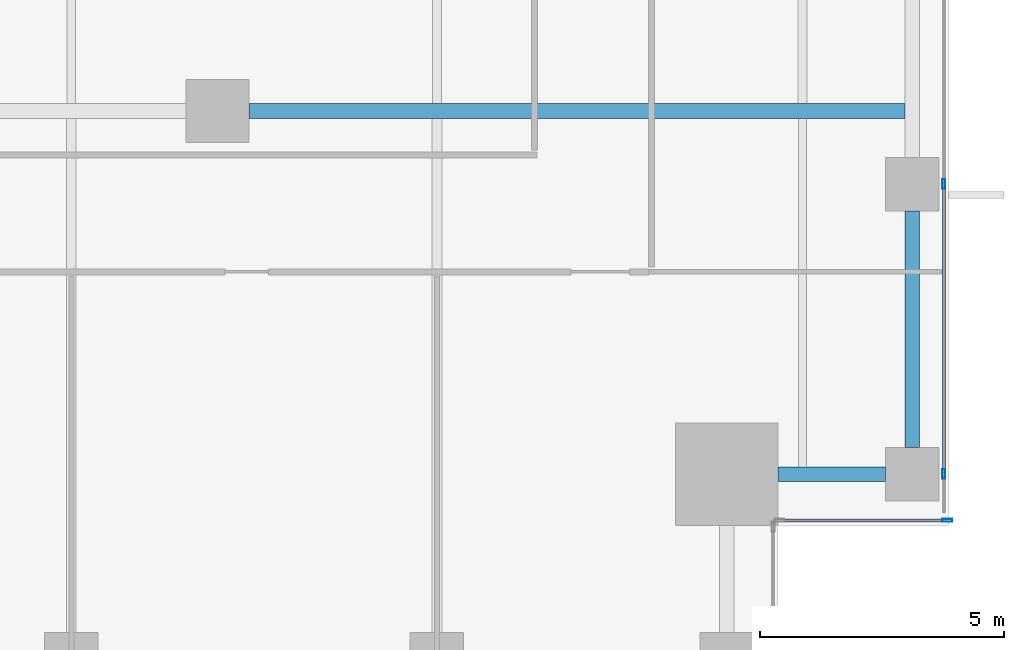
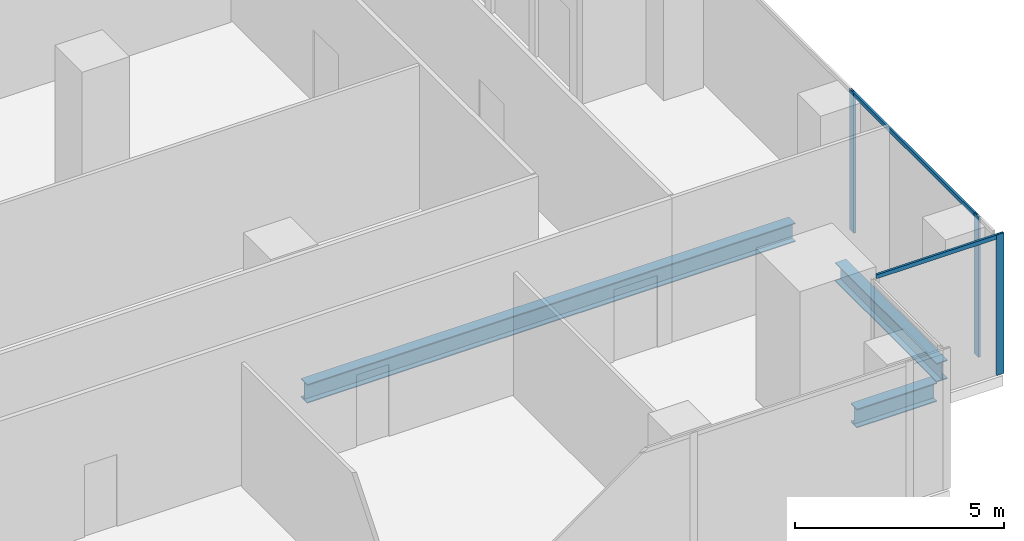
# One storey, part 11 of 34: 5 members, 3 beams, 2 elements without a shape of their own.
"""IFC4 building model written with IfcOpenShell, lengths in metres."""

import ifcopenshell
import ifcopenshell.guid

model = None  # the IFC model being written
_history = None  # IfcOwnerHistory: only IFC2X3 demands one
_inside = {}  # id of a spatial element -> (the spatial element, [elements in it])
_under = {}  # id of a project, library or spatial element -> (it, [spatial elements below it])
_declared = {}  # id of a project -> (the project, [libraries it declares])
_typed = {}  # id of a type object -> (the type object, [elements of that type])
_made_of = {}  # id of a material, layer set ... -> (it, [elements and type objects made of it])


def new_model(schema):
    """Start an empty IFC model of exactly this schema.

    Asked for "IFC4X3", IfcOpenShell would pick the latest addendum, in which some entities
    have other attributes; the version numbers below select the first issue.
    IFC2X3 requires an IfcOwnerHistory on every rooted entity: one is made here for all.
    """
    global model, _history
    if schema == "IFC4X3":
        model = ifcopenshell.file(schema_version=(4, 3, 0, 0))
    else:
        model = ifcopenshell.file(schema=schema)
    _inside.clear()
    _under.clear()
    _declared.clear()
    _typed.clear()
    _made_of.clear()
    _history = None
    if model.schema == "IFC2X3":
        org = make("IfcOrganization", Name="unknown")
        user = make(
            "IfcPersonAndOrganization",
            ThePerson=make("IfcPerson", FamilyName="unknown"),
            TheOrganization=org,
        )
        app = make(
            "IfcApplication",
            ApplicationDeveloper=org,
            Version="unknown",
            ApplicationFullName="unknown",
            ApplicationIdentifier="unknown",
        )
        _history = make(
            "IfcOwnerHistory",
            OwningUser=user,
            OwningApplication=app,
            ChangeAction="ADDED",
            CreationDate=0,
        )
    return model


def make(cls, **values):
    """One entity of the class cls with the attributes given. An attribute that is None is left unset."""
    return model.create_entity(
        cls, **{name: value for name, value in values.items() if value is not None}
    )


def rooted(cls, **values):
    """An entity with a GlobalId (a new one), such as an element, a storey or a relation."""
    return make(cls, GlobalId=ifcopenshell.guid.new(), OwnerHistory=_history, **values)


def si_unit(unit_type, name, prefix=None):
    """IfcSIUnit, for example si_unit("LENGTHUNIT", "METRE", prefix="MILLI")."""
    return make("IfcSIUnit", UnitType=unit_type, Prefix=prefix, Name=name)


def assignment(units):
    """IfcUnitAssignment: the units of a project."""
    return None if units is None else make("IfcUnitAssignment", Units=units)


def point(xyz):
    """IfcCartesianPoint."""
    return None if xyz is None else make("IfcCartesianPoint", Coordinates=xyz)


def direction(xyz):
    """IfcDirection."""
    return None if xyz is None else make("IfcDirection", DirectionRatios=xyz)


def frame(location, z_axis=None, x_axis=None):
    """IfcAxis2Placement3D, a coordinate frame: its origin and axes. An axis left out is left unset."""
    return make(
        "IfcAxis2Placement3D",
        Location=point(location),
        Axis=direction(z_axis),
        RefDirection=direction(x_axis),
    )


def frame_2d(location, x_axis=None):
    """IfcAxis2Placement2D, a coordinate frame in the plane: its origin and x axis."""
    return make(
        "IfcAxis2Placement2D", Location=point(location), RefDirection=direction(x_axis)
    )


def origin():
    """The frame at (0, 0, 0) with its axes left unset."""
    return frame((0.0, 0.0, 0.0))


def origin_2d():
    """The frame at (0, 0) in the plane with its x axis left unset."""
    return frame_2d((0.0, 0.0))


def place(relative_to, where):
    """IfcLocalPlacement: puts the frame where relative to a parent placement (None: the world)."""
    return make(
        "IfcLocalPlacement", PlacementRelTo=relative_to, RelativePlacement=where
    )


def context(
    kind, dimensions, precision=None, world=None, true_north=None, identifier=None
):
    """IfcGeometricRepresentationContext, for example the 3D "Model" context."""
    return make(
        "IfcGeometricRepresentationContext",
        ContextIdentifier=identifier,
        ContextType=kind,
        CoordinateSpaceDimension=dimensions,
        Precision=precision,
        WorldCoordinateSystem=world,
        TrueNorth=true_north,
    )


def subcontext(parent, identifier, kind, view, scale=None):
    """IfcGeometricRepresentationSubContext, for example "Body" below "Model"."""
    return make(
        "IfcGeometricRepresentationSubContext",
        ContextIdentifier=identifier,
        ContextType=kind,
        ParentContext=parent,
        TargetScale=scale,
        TargetView=view,
    )


def project(units=None, contexts=None):
    """IfcProject with its units and contexts."""
    return rooted(
        "IfcProject",
        Name="project",
        RepresentationContexts=contexts,
        UnitsInContext=assignment(units),
    )


def spatial(cls, under=None, at=None, **own):
    """A site, building, storey or space (cls), placed at a placement, below another one or the project."""
    s = rooted(cls, ObjectPlacement=at, **own)
    if under is not None:
        _under.setdefault(under.id(), (under, []))[1].append(s)
    return s


def profile(cls, at=None, kind="AREA", **sizes):
    """A parametric profile (cls). Its sizes go by their IFC names, for example OverallWidth=200.0."""
    return make(cls, ProfileType=kind, Position=at, **sizes)


def hollow_rectangle(**sizes):
    """IfcRectangleHollowProfileDef."""
    return profile("IfcRectangleHollowProfileDef", **sizes)


def i_section(**sizes):
    """IfcIShapeProfileDef."""
    return profile("IfcIShapeProfileDef", **sizes)


def extrude(swept, where, along, depth):
    """IfcExtrudedAreaSolid: the profile swept, set in the frame where, extruded along a direction by depth."""
    return make(
        "IfcExtrudedAreaSolid",
        SweptArea=swept,
        Position=where,
        ExtrudedDirection=direction(along),
        Depth=depth,
    )


def shape(context_of_items, identifier, shape_type, items):
    """IfcShapeRepresentation: the items that make up one representation, for example the "Body"."""
    return make(
        "IfcShapeRepresentation",
        ContextOfItems=context_of_items,
        RepresentationIdentifier=identifier,
        RepresentationType=shape_type,
        Items=items,
    )


def source(mapping_origin, context_of_items, identifier, shape_type, items):
    """IfcRepresentationMap: a shape defined once, which mapped items show again and again."""
    return make(
        "IfcRepresentationMap",
        MappingOrigin=mapping_origin,
        MappedRepresentation=shape(context_of_items, identifier, shape_type, items),
    )


def transform(
    local_origin,
    x_axis=None,
    y_axis=None,
    z_axis=None,
    scale=None,
    scale2=None,
    scale3=None,
    uniform=True,
):
    """IfcCartesianTransformationOperator3D, or its non-uniform kind. x_axis, y_axis, z_axis: its Axis1, 2, 3."""
    if uniform:
        return make(
            "IfcCartesianTransformationOperator3D",
            Axis1=direction(x_axis),
            Axis2=direction(y_axis),
            LocalOrigin=point(local_origin),
            Scale=scale,
            Axis3=direction(z_axis),
        )
    return make(
        "IfcCartesianTransformationOperator3DnonUniform",
        Axis1=direction(x_axis),
        Axis2=direction(y_axis),
        LocalOrigin=point(local_origin),
        Scale=scale,
        Axis3=direction(z_axis),
        Scale2=scale2,
        Scale3=scale3,
    )


def mapped(mapping_source, mapping_target):
    """IfcMappedItem: shows the shape of a source again, moved by a transform."""
    return make(
        "IfcMappedItem", MappingSource=mapping_source, MappingTarget=mapping_target
    )


def material(Name=None, Category=None):
    """IfcMaterial."""
    return make("IfcMaterial", Name=Name, Category=Category)


def material_profile(
    of_material, cross_section, Name=None, Category=None, Priority=None
):
    """IfcMaterialProfile: a cross section and its material."""
    return make(
        "IfcMaterialProfile",
        Name=Name,
        Material=of_material,
        Profile=cross_section,
        Priority=Priority,
        Category=Category,
    )


def profile_set(profiles, Name=None, composite=None):
    """IfcMaterialProfileSet."""
    return make(
        "IfcMaterialProfileSet",
        Name=Name,
        MaterialProfiles=profiles,
        CompositeProfile=composite,
    )


def made_of(thing, what):
    """Note that an element or type object is made of a material, layer set ...; save() writes the relation."""
    if what is not None:
        _made_of.setdefault(what.id(), (what, []))[1].append(thing)
    return thing


def type_object(cls, material=None, **own):
    """A type object (cls), such as IfcWallType, which elements share."""
    return made_of(rooted(cls, **own), material)


def element(
    cls,
    number,
    at=None,
    inside=None,
    cuts=None,
    type_object=None,
    material=None,
    context=None,
    identifier="Body",
    shape_type=None,
    held_by="IfcProductDefinitionShape",
    body=None,
    shapes=None,
    **own,
):
    """One element of the class cls, such as IfcWall. Its Tag is "e" and its number.

    at: its placement. inside: the storey or other place that contains it. cuts: it is an
    opening in that element (IfcRelVoidsElement). A single representation is given by context,
    identifier, shape_type and body (its items); several are given by shapes. held_by: the class
    of the entity that holds the representations. save() writes the other relations.
    """
    e = rooted(cls, Tag="e%d" % number, ObjectPlacement=at, **own)
    if body is not None:
        shapes = [shape(context, identifier, shape_type, body)]
    if shapes is not None:
        e.Representation = make(held_by, Representations=shapes)
    if inside is not None:
        _inside.setdefault(inside.id(), (inside, []))[1].append(e)
    if cuts is not None:
        rooted(
            "IfcRelVoidsElement", RelatingBuildingElement=cuts, RelatedOpeningElement=e
        )
    if type_object is not None:
        _typed.setdefault(type_object.id(), (type_object, []))[1].append(e)
    return made_of(e, material)


def aggregate(whole, parts):
    """IfcRelAggregates: a whole, such as a stair, and the parts it consists of."""
    return rooted("IfcRelAggregates", RelatingObject=whole, RelatedObjects=parts)


def save(model, path):
    """Write the relations noted so far, then the file.

    IfcRelAggregates (storeys below a building ...), IfcRelContainedInSpatialStructure (elements
    in a storey), IfcRelDefinesByType, IfcRelAssociatesMaterial and IfcRelDeclares: one each for
    every whole, place, type object, material and project.
    """
    for whole, parts in _under.values():
        aggregate(whole, parts)
    for where, things in _inside.values():
        rooted(
            "IfcRelContainedInSpatialStructure",
            RelatedElements=things,
            RelatingStructure=where,
        )
    for kind, things in _typed.values():
        rooted("IfcRelDefinesByType", RelatedObjects=things, RelatingType=kind)
    for what, things in _made_of.values():
        rooted("IfcRelAssociatesMaterial", RelatedObjects=things, RelatingMaterial=what)
    for by, libraries in _declared.values():
        rooted("IfcRelDeclares", RelatingContext=by, RelatedDefinitions=libraries)
    model.write(path)


model = new_model("IFC4")

# Units and contexts
model_context = context("Model", 3, precision=1e-05, world=origin(), true_north=direction((0.0, 1.0)))
body_context = subcontext(model_context, "Body", "Model", "MODEL_VIEW")
ifc_project = project(units=[si_unit("LENGTHUNIT", "METRE"), si_unit("AREAUNIT", "SQUARE_METRE"), si_unit("VOLUMEUNIT", "CUBIC_METRE"), si_unit("PLANEANGLEUNIT", "RADIAN"), si_unit("MASSUNIT", "GRAM", prefix="KILO")], contexts=[model_context])

# Site, building, storey
site_placement = place(None, origin())
site = spatial("IfcSite", under=ifc_project, at=site_placement, CompositionType="ELEMENT")
building_placement = place(site_placement, origin())
building = spatial("IfcBuilding", under=site, at=building_placement, Name="Khomas Fold Tower", CompositionType="ELEMENT")
storey_placement = place(building_placement, frame((0.0, 0.0, 105.89990234375)))
storey = spatial("IfcBuildingStorey", under=building, at=storey_placement, Name="L22", CompositionType="ELEMENT", Elevation=105.89990234375)

# Beams
ifc_material_1 = material(Name="Steel S355", Category="steel")
ifc_material_profile_1 = material_profile(ifc_material_1, i_section(OverallWidth=0.300048828125, OverallDepth=0.550048828125, WebThickness=0.014892578125, FlangeThickness=0.029052734375, at=origin_2d()), Name="HE 550 B")
ifc_profile_set_1 = profile_set([ifc_material_profile_1], Name="Steel S355")
beam_type_1 = type_object("IfcBeamType", Name="HE 550 B spandrel SB2", PredefinedType="SPANDREL", material=ifc_profile_set_1)
shared_shape_1 = source(origin(), body_context, "Body", "SweptSolid", [
    extrude(i_section(OverallWidth=0.300048828125, OverallDepth=0.550048828125, WebThickness=0.014892578125, FlangeThickness=0.029052734375, at=origin_2d()), origin(), (0.0, 0.0, 1.0), 4.849853515625),
])
beam_1_placement = place(storey_placement, frame((51.75, 6.60009765625, -0.574951171875), z_axis=(0.0, 1.0, 0.0), x_axis=(-1.0, 0.0, 0.0)))
element("IfcBeam", 1, at=beam_1_placement, inside=storey, type_object=beam_type_1, Name="SB2", PredefinedType="SPANDREL", context=body_context, shape_type="MappedRepresentation", body=[
    mapped(shared_shape_1, transform((0.0, 0.0, 0.0))),
])
shared_shape_2 = source(origin(), body_context, "Body", "SweptSolid", [
    extrude(i_section(OverallWidth=0.300048828125, OverallDepth=0.550048828125, WebThickness=0.014892578125, FlangeThickness=0.029052734375, at=origin_2d()), origin(), (0.0, 0.0, 1.0), 2.199951171875),
])
beam_2_placement = place(storey_placement, frame((49.0, 6.050048828125, -0.574951171875), z_axis=(1.0, 0.0, 0.0), x_axis=(0.0, 1.0, 0.0)))
element("IfcBeam", 2, at=beam_2_placement, inside=storey, type_object=beam_type_1, Name="SB2", PredefinedType="SPANDREL", context=body_context, shape_type="MappedRepresentation", body=[
    mapped(shared_shape_2, transform((0.0, 0.0, 0.0))),
])
ifc_material_2 = material(Name="Steel S355", Category="steel")
ifc_material_profile_2 = material_profile(ifc_material_2, i_section(OverallWidth=0.300048828125, OverallDepth=0.550048828125, WebThickness=0.014892578125, FlangeThickness=0.029052734375, at=origin_2d()), Name="HE 550 B")
ifc_profile_set_2 = profile_set([ifc_material_profile_2], Name="Steel S355")
beam_type_2 = type_object("IfcBeamType", Name="HE 550 B beam GB4", PredefinedType="BEAM", material=ifc_profile_set_2)
shared_shape_3 = source(origin(), body_context, "Body", "SweptSolid", [
    extrude(i_section(OverallWidth=0.300048828125, OverallDepth=0.550048828125, WebThickness=0.014892578125, FlangeThickness=0.029052734375, at=origin_2d()), origin(), (0.0, 0.0, 1.0), 13.4501953125),
])
beam_3_placement = place(storey_placement, frame((38.14990234375, 13.5, -0.574951171875), z_axis=(1.0, 0.0, 0.0), x_axis=(0.0, 1.0, 0.0)))
element("IfcBeam", 3, at=beam_3_placement, inside=storey, type_object=beam_type_2, Name="GB4", PredefinedType="BEAM", context=body_context, shape_type="MappedRepresentation", body=[
    mapped(shared_shape_3, transform((0.0, 0.0, 0.0))),
])

# Curtain wall, member
ifc_material_3 = material(Name="Aluminium framed double glazing", Category="aluminium")
curtain_wall_type = type_object("IfcCurtainWallType", Name="SK-Unitised clear-glass wall, growing floors CW1", PredefinedType="NOTDEFINED", material=ifc_material_3)
curtain_wall_1_placement = place(storey_placement, origin())
curtain_wall_1 = element("IfcCurtainWall", 4, at=curtain_wall_1_placement, inside=storey, type_object=curtain_wall_type, Name="CW1 corner return L22 02", PredefinedType="NOTDEFINED")
ifc_material_4 = material(Name="Aluminium", Category="aluminium")
ifc_material_profile_3 = material_profile(ifc_material_4, hollow_rectangle(XDim=0.06005859375, YDim=0.199951171875, WallThickness=0.00390625, at=origin_2d()), Name="SK-Unitised clear-glass wall, growing floors mullion CW1-M")
ifc_profile_set_3 = profile_set([ifc_material_profile_3], Name="Aluminium")
member_type_1 = type_object("IfcMemberType", Name="SK-Unitised clear-glass wall, growing floors mullion CW1-M", PredefinedType="MULLION", material=ifc_profile_set_3)
shared_shape_4 = source(origin(), body_context, "Body", "SweptSolid", [
    extrude(hollow_rectangle(XDim=0.06005859375, YDim=0.199951171875, WallThickness=0.00390625, at=origin_2d()), origin(), (0.0, 0.0, 1.0), 4.10009765625),
])
member_1_placement = place(storey_placement, frame((52.469970703125, 5.10009765625, 0.0), z_axis=(0.0, 0.0, 1.0), x_axis=(0.0, 1.0, 0.0)))
member_1 = element("IfcMember", 5, at=member_1_placement, type_object=member_type_1, Name="CW1 mullion 2", PredefinedType="MULLION", context=body_context, shape_type="MappedRepresentation", body=[
    mapped(shared_shape_4, transform((0.0, 0.0, 0.0))),
])

# Curtain wall, members
curtain_wall_2_placement = place(storey_placement, origin())
curtain_wall_2 = element("IfcCurtainWall", 6, at=curtain_wall_2_placement, inside=storey, type_object=curtain_wall_type, Name="CW1 run L22 03-0", PredefinedType="NOTDEFINED")
member_2_placement = place(storey_placement, frame((52.39990234375, 6.050048828125, 0.0), z_axis=(0.0, 0.0, 1.0), x_axis=(-1.0, 0.0, 0.0)))
member_2 = element("IfcMember", 7, at=member_2_placement, type_object=member_type_1, Name="CW1 mullion 2", PredefinedType="MULLION", context=body_context, shape_type="MappedRepresentation", body=[
    mapped(shared_shape_4, transform((0.0, 0.0, 0.0))),
])
member_3_placement = place(storey_placement, frame((52.39990234375, 12.0, 0.0), z_axis=(0.0, 0.0, 1.0), x_axis=(-1.0, 0.0, 0.0)))
member_3 = element("IfcMember", 8, at=member_3_placement, type_object=member_type_1, Name="CW1 mullion 3", PredefinedType="MULLION", context=body_context, shape_type="MappedRepresentation", body=[
    mapped(shared_shape_4, transform((0.0, 0.0, 0.0))),
])
ifc_material_5 = material(Name="Aluminium", Category="aluminium")
ifc_material_profile_4 = material_profile(ifc_material_5, hollow_rectangle(XDim=0.06005859375, YDim=0.1201171875, WallThickness=0.00390625, at=origin_2d()), Name="SK-Unitised clear-glass wall, growing floors transom CW1-T")
ifc_profile_set_4 = profile_set([ifc_material_profile_4], Name="Aluminium")
member_type_2 = type_object("IfcMemberType", Name="SK-Unitised clear-glass wall, growing floors transom CW1-T", PredefinedType="USERDEFINED", material=ifc_profile_set_4)
shared_shape_5 = source(origin(), body_context, "Body", "SweptSolid", [
    extrude(hollow_rectangle(XDim=0.06005859375, YDim=0.1201171875, WallThickness=0.00390625, at=origin_2d()), origin(), (0.0, 0.0, 1.0), 5.889892578125),
])
member_4_placement = place(storey_placement, frame((52.39990234375, 6.080078125, 4.0400390625), z_axis=(0.0, 1.0, 0.0), x_axis=(-1.0, 0.0, 0.0)))
member_4 = element("IfcMember", 9, at=member_4_placement, type_object=member_type_2, Name="CW1 transom 2", ObjectType="TRANSOM", PredefinedType="USERDEFINED", context=body_context, shape_type="MappedRepresentation", body=[
    mapped(shared_shape_5, transform((0.0, 0.0, 0.0))),
])
aggregate(curtain_wall_2, [member_2, member_3, member_4])

# Member
shared_shape_6 = source(origin(), body_context, "Body", "SweptSolid", [
    extrude(hollow_rectangle(XDim=0.06005859375, YDim=0.1201171875, WallThickness=0.00390625, at=origin_2d()), origin(), (0.0, 0.0, 1.0), 3.3798828125),
])
member_5_placement = place(storey_placement, frame((49.06005859375, 5.10009765625, 4.0400390625), z_axis=(1.0, 0.0, 0.0), x_axis=(0.0, 1.0, 0.0)))
member_5 = element("IfcMember", 10, at=member_5_placement, type_object=member_type_2, Name="CW1 transom 1", ObjectType="TRANSOM", PredefinedType="USERDEFINED", context=body_context, shape_type="MappedRepresentation", body=[
    mapped(shared_shape_6, transform((0.0, 0.0, 0.0))),
])

aggregate(curtain_wall_1, [member_1, member_5])

save(model, "model.ifc")
